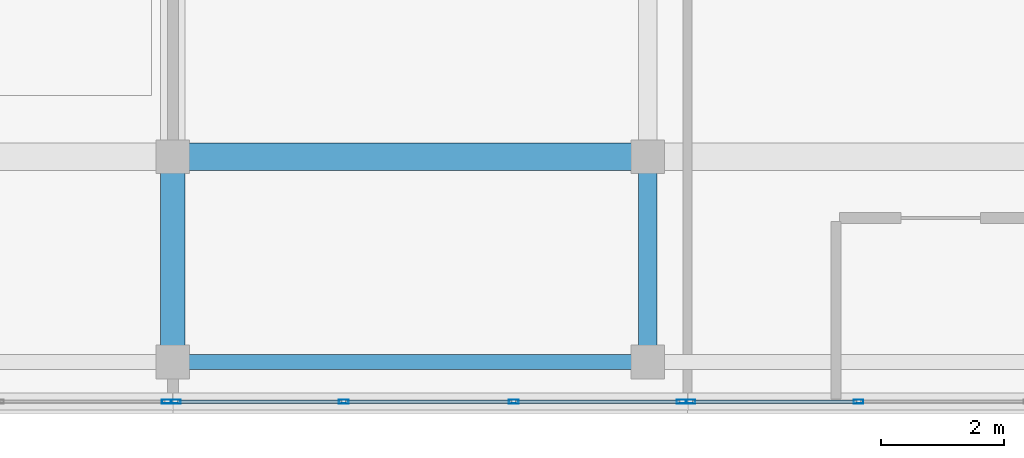
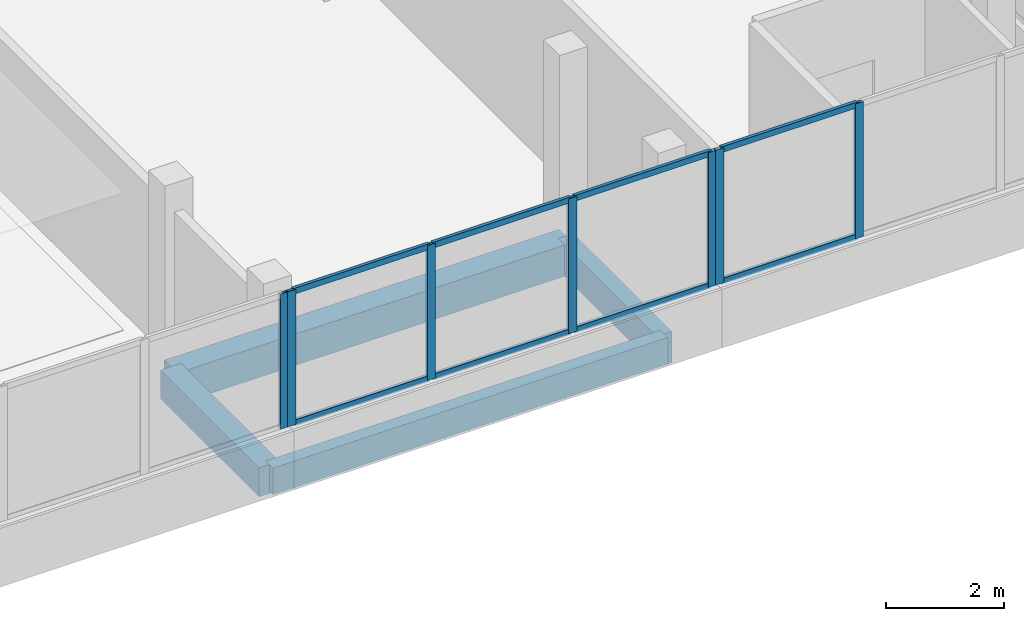
# One storey, part 37 of 67: 15 members, 4 beams, 3 elements without a shape of their own.
"""IFC4 building model written with IfcOpenShell, lengths in metres."""

from ifc_helpers import new_model, si_unit, direction, frame, origin, origin_2d, place, context, subcontext, project, spatial, rectangle, hollow_rectangle, extrude, material, material_profile, profile_set, type_object, element, aggregate, save


model = new_model("IFC4")

# Units and contexts
model_context = context("Model", 3, precision=1e-05, world=origin(), true_north=direction((0.0, 1.0)))
body_context = subcontext(model_context, "Body", "Model", "MODEL_VIEW")
ifc_project = project(units=[si_unit("LENGTHUNIT", "METRE"), si_unit("AREAUNIT", "SQUARE_METRE"), si_unit("VOLUMEUNIT", "CUBIC_METRE"), si_unit("PLANEANGLEUNIT", "RADIAN"), si_unit("MASSUNIT", "GRAM", prefix="KILO")], contexts=[model_context])

# Site, building, storey
site_placement = place(None, origin())
site = spatial("IfcSite", under=ifc_project, at=site_placement, CompositionType="ELEMENT")
building_placement = place(site_placement, origin())
building = spatial("IfcBuilding", under=site, at=building_placement, Name="Selatvlak General Hospital", CompositionType="ELEMENT")
storey_placement = place(building_placement, frame((0.0, 0.0, 35.39990234375)))
storey = spatial("IfcBuildingStorey", under=building, at=storey_placement, Name="L08", CompositionType="ELEMENT", Elevation=35.39990234375)

# Beams
ifc_material_1 = material(Name="Concrete C40/50", Category="concrete")
ifc_material_profile_1 = material_profile(ifc_material_1, rectangle(XDim=0.449951171875, YDim=0.64990234375, at=origin_2d()), Name="RC-BM 450x650")
ifc_profile_set_1 = profile_set([ifc_material_profile_1], Name="Concrete C40/50")
beam_type_1 = type_object("IfcBeamType", Name="BM-G04", PredefinedType="BEAM", material=ifc_profile_set_1)
beam_1_placement = place(storey_placement, frame((140.39990234375, 92.0, -0.58984375), z_axis=(1.0, 0.0, 0.0), x_axis=(0.0, 1.0, 0.0)))
element("IfcBeam", 1, at=beam_1_placement, inside=storey, type_object=beam_type_1, Name="Beam BMR-L08-2582", PredefinedType="BEAM", context=body_context, shape_type="SweptSolid", body=[
    extrude(rectangle(XDim=0.449951171875, YDim=0.64990234375, at=origin_2d()), origin(), (0.0, 0.0, 1.0), 7.75),
])
ifc_material_profile_2 = material_profile(ifc_material_1, rectangle(XDim=0.39990234375, YDim=0.60009765625, at=origin_2d()), Name="RC-BM 400x600")
ifc_profile_set_2 = profile_set([ifc_material_profile_2], Name="Concrete C40/50")
beam_type_2 = type_object("IfcBeamType", Name="BM-G05", PredefinedType="BEAM", material=ifc_profile_set_2)
beam_2_placement = place(storey_placement, frame((140.39990234375, 88.64990234375, -0.56494140625), z_axis=(0.0, 1.0, 0.0), x_axis=(-1.0, 0.0, 0.0)))
element("IfcBeam", 2, at=beam_2_placement, inside=storey, type_object=beam_type_2, Name="Beam BMR-L08-2698", PredefinedType="BEAM", context=body_context, shape_type="SweptSolid", body=[
    extrude(rectangle(XDim=0.39990234375, YDim=0.60009765625, at=origin_2d()), origin(), (0.0, 0.0, 1.0), 3.35009765625),
])
ifc_material_profile_3 = material_profile(ifc_material_1, rectangle(XDim=0.300048828125, YDim=0.64990234375, at=origin_2d()), Name="RC-SP 300x650")
ifc_profile_set_3 = profile_set([ifc_material_profile_3], Name="Concrete C40/50")
beam_type_3 = type_object("IfcBeamType", Name="BM-SP1", PredefinedType="SPANDREL", material=ifc_profile_set_3)
beam_3_placement = place(storey_placement, frame((148.14990234375, 88.64990234375, -0.58984375), z_axis=(0.0, 1.0, 0.0), x_axis=(-1.0, 0.0, 0.0)))
element("IfcBeam", 3, at=beam_3_placement, inside=storey, type_object=beam_type_3, Name="Beam BMR-L08-2703", PredefinedType="SPANDREL", context=body_context, shape_type="SweptSolid", body=[
    extrude(rectangle(XDim=0.300048828125, YDim=0.64990234375, at=origin_2d()), origin(), (0.0, 0.0, 1.0), 3.35009765625),
])
ifc_material_profile_4 = material_profile(ifc_material_1, rectangle(XDim=0.25, YDim=0.550048828125, at=origin_2d()), Name="RC-SP 250x550")
ifc_profile_set_4 = profile_set([ifc_material_profile_4], Name="Concrete C40/50")
beam_type_4 = type_object("IfcBeamType", Name="BM-SP2", PredefinedType="SPANDREL", material=ifc_profile_set_4)
beam_4_placement = place(storey_placement, frame((140.39990234375, 88.64990234375, -0.539794921875), z_axis=(1.0, 0.0, 0.0), x_axis=(0.0, 1.0, 0.0)))
element("IfcBeam", 4, at=beam_4_placement, inside=storey, type_object=beam_type_4, Name="Beam BMR-L08-2565", PredefinedType="SPANDREL", context=body_context, shape_type="SweptSolid", body=[
    extrude(rectangle(XDim=0.25, YDim=0.550048828125, at=origin_2d()), origin(), (0.0, 0.0, 1.0), 7.75),
])

# Curtain wall, members
ifc_material_2 = material(Name="Solar-control Low-E double glazing", Category="glass")
curtain_wall_type_1 = type_object("IfcCurtainWallType", Name="CW-CW-02", PredefinedType="USERDEFINED", material=ifc_material_2)
curtain_wall_1_placement = place(storey_placement, origin())
curtain_wall_1 = element("IfcCurtainWall", 5, at=curtain_wall_1_placement, inside=storey, type_object=curtain_wall_type_1, Name="Glazed facade curtain wall CW-L08-0701", ObjectType="UNITISED CURTAIN WALL", PredefinedType="USERDEFINED")
ifc_material_3 = material(Name="Dark anodised aluminium mullion", Category="aluminium")
ifc_material_profile_5 = material_profile(ifc_material_3, hollow_rectangle(XDim=0.06494140625, YDim=0.159912109375, WallThickness=0.00390625, at=origin_2d()), Name="AL-MUL 65x160x4")
ifc_profile_set_5 = profile_set([ifc_material_profile_5], Name="Dark anodised aluminium mullion")
member_type_1 = type_object("IfcMemberType", Name="CWM-01", PredefinedType="MULLION", material=ifc_profile_set_5)
member_1_placement = place(storey_placement, frame((151.58837890625, 88.0009765625, 0.940185546875), z_axis=(0.0, 0.0, 1.0), x_axis=(0.0, -1.0, 0.0)))
member_1 = element("IfcMember", 6, at=member_1_placement, type_object=member_type_1, Name="CW-02 mullion 3", PredefinedType="MULLION", context=body_context, shape_type="SweptSolid", body=[
    extrude(hollow_rectangle(XDim=0.06494140625, YDim=0.159912109375, WallThickness=0.00390625, at=origin_2d()), origin(), (0.0, 0.0, 1.0), 2.7998046875),
])
member_2_placement = place(storey_placement, frame((148.847412109375, 88.0009765625, 0.940185546875), z_axis=(0.0, 0.0, 1.0), x_axis=(0.0, -1.0, 0.0)))
member_2 = element("IfcMember", 7, at=member_2_placement, type_object=member_type_1, Name="CW-02 mullion 4", PredefinedType="MULLION", context=body_context, shape_type="SweptSolid", body=[
    extrude(hollow_rectangle(XDim=0.06494140625, YDim=0.159912109375, WallThickness=0.00390625, at=origin_2d()), origin(), (0.0, 0.0, 1.0), 2.7998046875),
])

curtain_wall_type_2 = type_object("IfcCurtainWallType", Name="CW-CW-01", PredefinedType="USERDEFINED", material=ifc_material_2)
curtain_wall_2_placement = place(storey_placement, origin())
curtain_wall_2 = element("IfcCurtainWall", 8, at=curtain_wall_2_placement, inside=storey, type_object=curtain_wall_type_2, Name="Glazed facade curtain wall CW-L08-0702", ObjectType="UNITISED CURTAIN WALL", PredefinedType="USERDEFINED")
member_3_placement = place(storey_placement, frame((148.702392578125, 88.0009765625, 0.940185546875), z_axis=(0.0, 0.0, 1.0), x_axis=(0.0, -1.0, 0.0)))
member_3 = element("IfcMember", 9, at=member_3_placement, type_object=member_type_1, Name="CW-01 mullion 1", PredefinedType="MULLION", context=body_context, shape_type="SweptSolid", body=[
    extrude(hollow_rectangle(XDim=0.06494140625, YDim=0.159912109375, WallThickness=0.00390625, at=origin_2d()), origin(), (0.0, 0.0, 1.0), 2.7998046875),
])
member_4_placement = place(storey_placement, frame((145.961669921875, 88.0009765625, 0.940185546875), z_axis=(0.0, 0.0, 1.0), x_axis=(0.0, -1.0, 0.0)))
member_4 = element("IfcMember", 10, at=member_4_placement, type_object=member_type_1, Name="CW-01 mullion 2", PredefinedType="MULLION", context=body_context, shape_type="SweptSolid", body=[
    extrude(hollow_rectangle(XDim=0.06494140625, YDim=0.159912109375, WallThickness=0.00390625, at=origin_2d()), origin(), (0.0, 0.0, 1.0), 2.7998046875),
])
member_5_placement = place(storey_placement, frame((143.188232421875, 88.0009765625, 0.940185546875), z_axis=(0.0, 0.0, 1.0), x_axis=(0.0, -1.0, 0.0)))
member_5 = element("IfcMember", 11, at=member_5_placement, type_object=member_type_1, Name="CW-01 mullion 3", PredefinedType="MULLION", context=body_context, shape_type="SweptSolid", body=[
    extrude(hollow_rectangle(XDim=0.06494140625, YDim=0.159912109375, WallThickness=0.00390625, at=origin_2d()), origin(), (0.0, 0.0, 1.0), 2.7998046875),
])
member_6_placement = place(storey_placement, frame((140.447509765625, 88.0009765625, 0.940185546875), z_axis=(0.0, 0.0, 1.0), x_axis=(0.0, -1.0, 0.0)))
member_6 = element("IfcMember", 12, at=member_6_placement, type_object=member_type_1, Name="CW-01 mullion 4", PredefinedType="MULLION", context=body_context, shape_type="SweptSolid", body=[
    extrude(hollow_rectangle(XDim=0.06494140625, YDim=0.159912109375, WallThickness=0.00390625, at=origin_2d()), origin(), (0.0, 0.0, 1.0), 2.7998046875),
])

# Curtain wall, member
curtain_wall_3_placement = place(storey_placement, origin())
curtain_wall_3 = element("IfcCurtainWall", 13, at=curtain_wall_3_placement, inside=storey, type_object=curtain_wall_type_1, Name="Glazed facade curtain wall CW-L08-0703", ObjectType="UNITISED CURTAIN WALL", PredefinedType="USERDEFINED")
member_7_placement = place(storey_placement, frame((140.302490234375, 88.0009765625, 0.940185546875), z_axis=(0.0, 0.0, 1.0), x_axis=(0.0, -1.0, 0.0)))
member_7 = element("IfcMember", 14, at=member_7_placement, type_object=member_type_1, Name="CW-02 mullion 1", PredefinedType="MULLION", context=body_context, shape_type="SweptSolid", body=[
    extrude(hollow_rectangle(XDim=0.06494140625, YDim=0.159912109375, WallThickness=0.00390625, at=origin_2d()), origin(), (0.0, 0.0, 1.0), 2.7998046875),
])
aggregate(curtain_wall_3, [member_7])

# Member
ifc_material_profile_6 = material_profile(ifc_material_3, hollow_rectangle(XDim=0.06494140625, YDim=0.1201171875, WallThickness=0.00390625, at=origin_2d()), Name="AL-TRN 65x120x4")
ifc_profile_set_6 = profile_set([ifc_material_profile_6], Name="Dark anodised aluminium mullion")
member_type_2 = type_object("IfcMemberType", Name="CWT-01", PredefinedType="USERDEFINED", material=ifc_profile_set_6)
member_8_placement = place(storey_placement, frame((151.555908203125, 88.0009765625, 0.97265625), z_axis=(-1.0, 0.0, 0.0), x_axis=(0.0, -1.0, 0.0)))
member_8 = element("IfcMember", 15, at=member_8_placement, type_object=member_type_2, Name="CW-02 transom 3.1", ObjectType="TRANSOM", PredefinedType="USERDEFINED", context=body_context, shape_type="SweptSolid", body=[
    extrude(hollow_rectangle(XDim=0.06494140625, YDim=0.1201171875, WallThickness=0.00390625, at=origin_2d()), origin(), (0.0, 0.0, 1.0), 2.676025390625),
])

member_9_placement = place(storey_placement, frame((151.555908203125, 88.0009765625, 3.70751953125), z_axis=(-1.0, 0.0, 0.0), x_axis=(0.0, -1.0, 0.0)))
member_9 = element("IfcMember", 16, at=member_9_placement, type_object=member_type_2, Name="CW-02 transom 3.2", ObjectType="TRANSOM", PredefinedType="USERDEFINED", context=body_context, shape_type="SweptSolid", body=[
    extrude(hollow_rectangle(XDim=0.06494140625, YDim=0.1201171875, WallThickness=0.00390625, at=origin_2d()), origin(), (0.0, 0.0, 1.0), 2.676025390625),
])

aggregate(curtain_wall_1, [member_1, member_2, member_8, member_9])

member_10_placement = place(storey_placement, frame((148.669921875, 88.0009765625, 0.97265625), z_axis=(-1.0, 0.0, 0.0), x_axis=(0.0, -1.0, 0.0)))
member_10 = element("IfcMember", 17, at=member_10_placement, type_object=member_type_2, Name="CW-01 transom 1.1", ObjectType="TRANSOM", PredefinedType="USERDEFINED", context=body_context, shape_type="SweptSolid", body=[
    extrude(hollow_rectangle(XDim=0.06494140625, YDim=0.1201171875, WallThickness=0.00390625, at=origin_2d()), origin(), (0.0, 0.0, 1.0), 2.67578125),
])

member_11_placement = place(storey_placement, frame((148.669921875, 88.0009765625, 3.70751953125), z_axis=(-1.0, 0.0, 0.0), x_axis=(0.0, -1.0, 0.0)))
member_11 = element("IfcMember", 18, at=member_11_placement, type_object=member_type_2, Name="CW-01 transom 1.2", ObjectType="TRANSOM", PredefinedType="USERDEFINED", context=body_context, shape_type="SweptSolid", body=[
    extrude(hollow_rectangle(XDim=0.06494140625, YDim=0.1201171875, WallThickness=0.00390625, at=origin_2d()), origin(), (0.0, 0.0, 1.0), 2.67578125),
])

member_12_placement = place(storey_placement, frame((145.92919921875, 88.0009765625, 0.97265625), z_axis=(-1.0, 0.0, 0.0), x_axis=(0.0, -1.0, 0.0)))
member_12 = element("IfcMember", 19, at=member_12_placement, type_object=member_type_2, Name="CW-01 transom 2.1", ObjectType="TRANSOM", PredefinedType="USERDEFINED", context=body_context, shape_type="SweptSolid", body=[
    extrude(hollow_rectangle(XDim=0.06494140625, YDim=0.1201171875, WallThickness=0.00390625, at=origin_2d()), origin(), (0.0, 0.0, 1.0), 2.708251953125),
])

member_13_placement = place(storey_placement, frame((145.92919921875, 88.0009765625, 3.70751953125), z_axis=(-1.0, 0.0, 0.0), x_axis=(0.0, -1.0, 0.0)))
member_13 = element("IfcMember", 20, at=member_13_placement, type_object=member_type_2, Name="CW-01 transom 2.2", ObjectType="TRANSOM", PredefinedType="USERDEFINED", context=body_context, shape_type="SweptSolid", body=[
    extrude(hollow_rectangle(XDim=0.06494140625, YDim=0.1201171875, WallThickness=0.00390625, at=origin_2d()), origin(), (0.0, 0.0, 1.0), 2.708251953125),
])

member_14_placement = place(storey_placement, frame((143.15576171875, 88.0009765625, 0.97265625), z_axis=(-1.0, 0.0, 0.0), x_axis=(0.0, -1.0, 0.0)))
member_14 = element("IfcMember", 21, at=member_14_placement, type_object=member_type_2, Name="CW-01 transom 3.1", ObjectType="TRANSOM", PredefinedType="USERDEFINED", context=body_context, shape_type="SweptSolid", body=[
    extrude(hollow_rectangle(XDim=0.06494140625, YDim=0.1201171875, WallThickness=0.00390625, at=origin_2d()), origin(), (0.0, 0.0, 1.0), 2.67578125),
])

member_15_placement = place(storey_placement, frame((143.15576171875, 88.0009765625, 3.70751953125), z_axis=(-1.0, 0.0, 0.0), x_axis=(0.0, -1.0, 0.0)))
member_15 = element("IfcMember", 22, at=member_15_placement, type_object=member_type_2, Name="CW-01 transom 3.2", ObjectType="TRANSOM", PredefinedType="USERDEFINED", context=body_context, shape_type="SweptSolid", body=[
    extrude(hollow_rectangle(XDim=0.06494140625, YDim=0.1201171875, WallThickness=0.00390625, at=origin_2d()), origin(), (0.0, 0.0, 1.0), 2.67578125),
])

aggregate(curtain_wall_2, [member_3, member_4, member_5, member_6, member_10, member_11, member_12, member_13, member_14, member_15])

save(model, "model.ifc")
